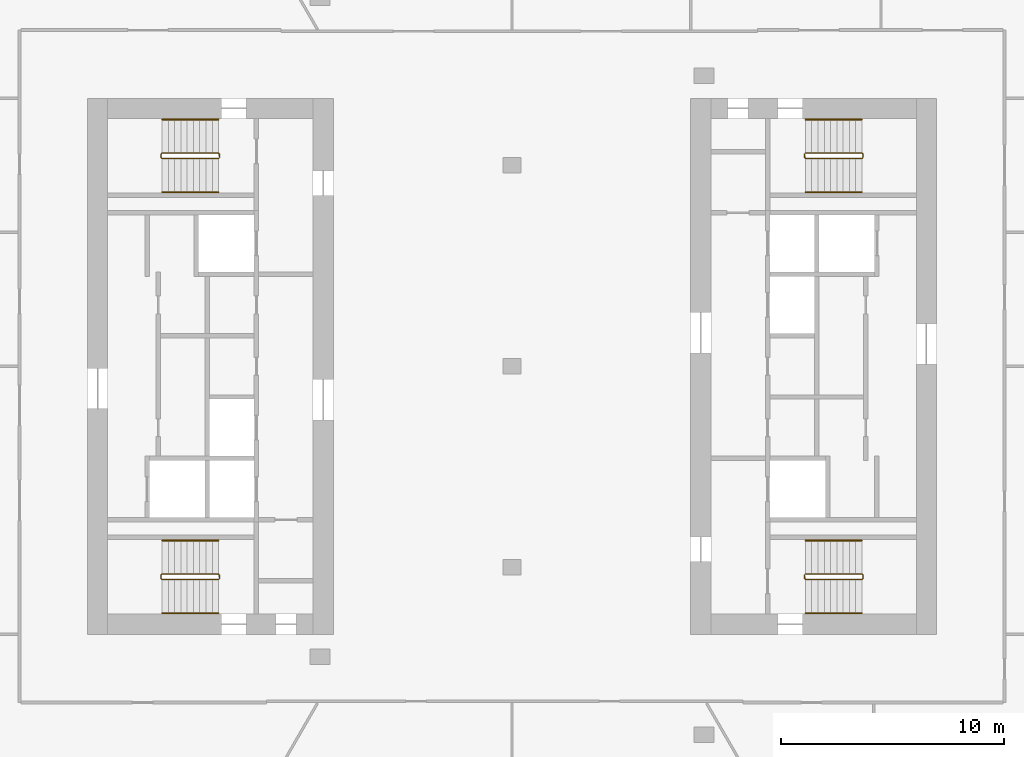
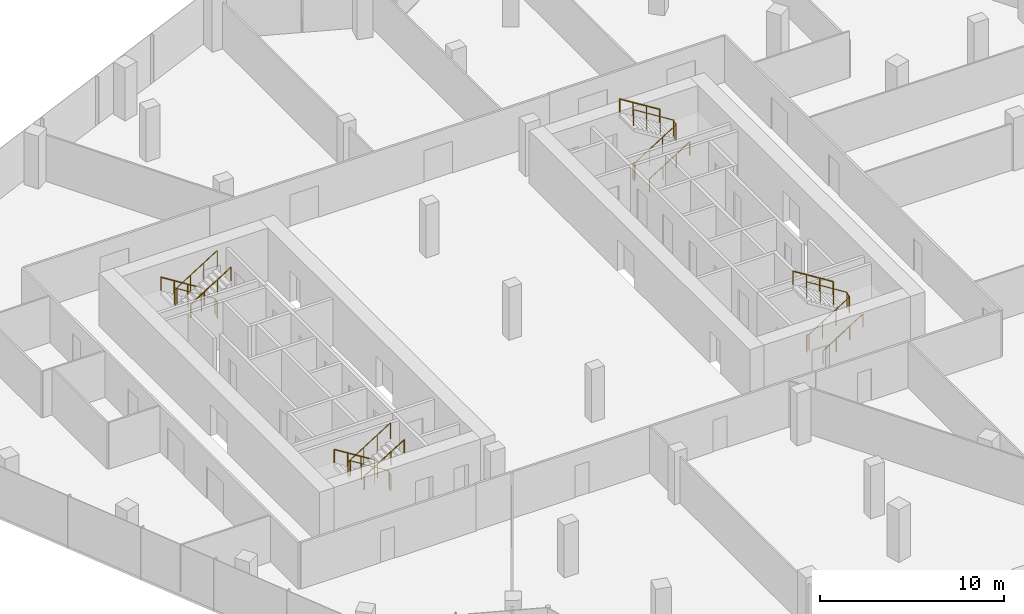
# One storey, part 16 of 16: 12 railings.
"""IFC4 building model written with IfcOpenShell, lengths in metres."""

import ifcopenshell
import ifcopenshell.guid

model = None  # the IFC model being written
_history = None  # IfcOwnerHistory: only IFC2X3 demands one
_inside = {}  # id of a spatial element -> (the spatial element, [elements in it])
_under = {}  # id of a project, library or spatial element -> (it, [spatial elements below it])
_declared = {}  # id of a project -> (the project, [libraries it declares])
_typed = {}  # id of a type object -> (the type object, [elements of that type])
_made_of = {}  # id of a material, layer set ... -> (it, [elements and type objects made of it])


def new_model(schema):
    """Start an empty IFC model of exactly this schema.

    Asked for "IFC4X3", IfcOpenShell would pick the latest addendum, in which some entities
    have other attributes; the version numbers below select the first issue.
    IFC2X3 requires an IfcOwnerHistory on every rooted entity: one is made here for all.
    """
    global model, _history
    if schema == "IFC4X3":
        model = ifcopenshell.file(schema_version=(4, 3, 0, 0))
    else:
        model = ifcopenshell.file(schema=schema)
    _inside.clear()
    _under.clear()
    _declared.clear()
    _typed.clear()
    _made_of.clear()
    _history = None
    if model.schema == "IFC2X3":
        org = make("IfcOrganization", Name="unknown")
        user = make(
            "IfcPersonAndOrganization",
            ThePerson=make("IfcPerson", FamilyName="unknown"),
            TheOrganization=org,
        )
        app = make(
            "IfcApplication",
            ApplicationDeveloper=org,
            Version="unknown",
            ApplicationFullName="unknown",
            ApplicationIdentifier="unknown",
        )
        _history = make(
            "IfcOwnerHistory",
            OwningUser=user,
            OwningApplication=app,
            ChangeAction="ADDED",
            CreationDate=0,
        )
    return model


def make(cls, **values):
    """One entity of the class cls with the attributes given. An attribute that is None is left unset."""
    return model.create_entity(
        cls, **{name: value for name, value in values.items() if value is not None}
    )


def rooted(cls, **values):
    """An entity with a GlobalId (a new one), such as an element, a storey or a relation."""
    return make(cls, GlobalId=ifcopenshell.guid.new(), OwnerHistory=_history, **values)


def si_unit(unit_type, name, prefix=None):
    """IfcSIUnit, for example si_unit("LENGTHUNIT", "METRE", prefix="MILLI")."""
    return make("IfcSIUnit", UnitType=unit_type, Prefix=prefix, Name=name)


def assignment(units):
    """IfcUnitAssignment: the units of a project."""
    return None if units is None else make("IfcUnitAssignment", Units=units)


def point(xyz):
    """IfcCartesianPoint."""
    return None if xyz is None else make("IfcCartesianPoint", Coordinates=xyz)


def direction(xyz):
    """IfcDirection."""
    return None if xyz is None else make("IfcDirection", DirectionRatios=xyz)


def frame(location, z_axis=None, x_axis=None):
    """IfcAxis2Placement3D, a coordinate frame: its origin and axes. An axis left out is left unset."""
    return make(
        "IfcAxis2Placement3D",
        Location=point(location),
        Axis=direction(z_axis),
        RefDirection=direction(x_axis),
    )


def frame_2d(location, x_axis=None):
    """IfcAxis2Placement2D, a coordinate frame in the plane: its origin and x axis."""
    return make(
        "IfcAxis2Placement2D", Location=point(location), RefDirection=direction(x_axis)
    )


def origin():
    """The frame at (0, 0, 0) with its axes left unset."""
    return frame((0.0, 0.0, 0.0))


def origin_2d():
    """The frame at (0, 0) in the plane with its x axis left unset."""
    return frame_2d((0.0, 0.0))


def place(relative_to, where):
    """IfcLocalPlacement: puts the frame where relative to a parent placement (None: the world)."""
    return make(
        "IfcLocalPlacement", PlacementRelTo=relative_to, RelativePlacement=where
    )


def context(
    kind, dimensions, precision=None, world=None, true_north=None, identifier=None
):
    """IfcGeometricRepresentationContext, for example the 3D "Model" context."""
    return make(
        "IfcGeometricRepresentationContext",
        ContextIdentifier=identifier,
        ContextType=kind,
        CoordinateSpaceDimension=dimensions,
        Precision=precision,
        WorldCoordinateSystem=world,
        TrueNorth=true_north,
    )


def subcontext(parent, identifier, kind, view, scale=None):
    """IfcGeometricRepresentationSubContext, for example "Body" below "Model"."""
    return make(
        "IfcGeometricRepresentationSubContext",
        ContextIdentifier=identifier,
        ContextType=kind,
        ParentContext=parent,
        TargetScale=scale,
        TargetView=view,
    )


def project(units=None, contexts=None):
    """IfcProject with its units and contexts."""
    return rooted(
        "IfcProject",
        Name="project",
        RepresentationContexts=contexts,
        UnitsInContext=assignment(units),
    )


def spatial(cls, under=None, at=None, **own):
    """A site, building, storey or space (cls), placed at a placement, below another one or the project."""
    s = rooted(cls, ObjectPlacement=at, **own)
    if under is not None:
        _under.setdefault(under.id(), (under, []))[1].append(s)
    return s


def profile(cls, at=None, kind="AREA", **sizes):
    """A parametric profile (cls). Its sizes go by their IFC names, for example OverallWidth=200.0."""
    return make(cls, ProfileType=kind, Position=at, **sizes)


def circle(**sizes):
    """IfcCircleProfileDef."""
    return profile("IfcCircleProfileDef", **sizes)


def extrude(swept, where, along, depth):
    """IfcExtrudedAreaSolid: the profile swept, set in the frame where, extruded along a direction by depth."""
    return make(
        "IfcExtrudedAreaSolid",
        SweptArea=swept,
        Position=where,
        ExtrudedDirection=direction(along),
        Depth=depth,
    )


def shape(context_of_items, identifier, shape_type, items):
    """IfcShapeRepresentation: the items that make up one representation, for example the "Body"."""
    return make(
        "IfcShapeRepresentation",
        ContextOfItems=context_of_items,
        RepresentationIdentifier=identifier,
        RepresentationType=shape_type,
        Items=items,
    )


def material(Name=None, Category=None):
    """IfcMaterial."""
    return make("IfcMaterial", Name=Name, Category=Category)


def made_of(thing, what):
    """Note that an element or type object is made of a material, layer set ...; save() writes the relation."""
    if what is not None:
        _made_of.setdefault(what.id(), (what, []))[1].append(thing)
    return thing


def type_object(cls, material=None, **own):
    """A type object (cls), such as IfcWallType, which elements share."""
    return made_of(rooted(cls, **own), material)


def element(
    cls,
    number,
    at=None,
    inside=None,
    cuts=None,
    type_object=None,
    material=None,
    context=None,
    identifier="Body",
    shape_type=None,
    held_by="IfcProductDefinitionShape",
    body=None,
    shapes=None,
    **own,
):
    """One element of the class cls, such as IfcWall. Its Tag is "e" and its number.

    at: its placement. inside: the storey or other place that contains it. cuts: it is an
    opening in that element (IfcRelVoidsElement). A single representation is given by context,
    identifier, shape_type and body (its items); several are given by shapes. held_by: the class
    of the entity that holds the representations. save() writes the other relations.
    """
    e = rooted(cls, Tag="e%d" % number, ObjectPlacement=at, **own)
    if body is not None:
        shapes = [shape(context, identifier, shape_type, body)]
    if shapes is not None:
        e.Representation = make(held_by, Representations=shapes)
    if inside is not None:
        _inside.setdefault(inside.id(), (inside, []))[1].append(e)
    if cuts is not None:
        rooted(
            "IfcRelVoidsElement", RelatingBuildingElement=cuts, RelatedOpeningElement=e
        )
    if type_object is not None:
        _typed.setdefault(type_object.id(), (type_object, []))[1].append(e)
    return made_of(e, material)


def aggregate(whole, parts):
    """IfcRelAggregates: a whole, such as a stair, and the parts it consists of."""
    return rooted("IfcRelAggregates", RelatingObject=whole, RelatedObjects=parts)


def save(model, path):
    """Write the relations noted so far, then the file.

    IfcRelAggregates (storeys below a building ...), IfcRelContainedInSpatialStructure (elements
    in a storey), IfcRelDefinesByType, IfcRelAssociatesMaterial and IfcRelDeclares: one each for
    every whole, place, type object, material and project.
    """
    for whole, parts in _under.values():
        aggregate(whole, parts)
    for where, things in _inside.values():
        rooted(
            "IfcRelContainedInSpatialStructure",
            RelatedElements=things,
            RelatingStructure=where,
        )
    for kind, things in _typed.values():
        rooted("IfcRelDefinesByType", RelatedObjects=things, RelatingType=kind)
    for what, things in _made_of.values():
        rooted("IfcRelAssociatesMaterial", RelatedObjects=things, RelatingMaterial=what)
    for by, libraries in _declared.values():
        rooted("IfcRelDeclares", RelatingContext=by, RelatedDefinitions=libraries)
    model.write(path)


model = new_model("IFC4")

# Units and contexts
model_context = context("Model", 3, precision=1e-05, world=origin(), true_north=direction((0.0, 1.0)))
body_context = subcontext(model_context, "Body", "Model", "MODEL_VIEW")
ifc_project = project(units=[si_unit("LENGTHUNIT", "METRE"), si_unit("AREAUNIT", "SQUARE_METRE"), si_unit("VOLUMEUNIT", "CUBIC_METRE"), si_unit("PLANEANGLEUNIT", "RADIAN"), si_unit("MASSUNIT", "GRAM", prefix="KILO")], contexts=[model_context])

# Site, building, storey
site_placement = place(None, origin())
site = spatial("IfcSite", under=ifc_project, at=site_placement, CompositionType="ELEMENT")
building_placement = place(site_placement, origin())
building = spatial("IfcBuilding", under=site, at=building_placement, Name="Orlundy Tower", CompositionType="ELEMENT")
storey_placement = place(building_placement, frame((0.0, 0.0, 285.89990234375)))
storey = spatial("IfcBuildingStorey", under=building, at=storey_placement, Name="L76", CompositionType="ELEMENT", Elevation=285.89990234375)

# Railings
ifc_material_1 = material(Name="Steel balustrade", Category="steel")
railing_type_1 = type_object("IfcRailingType", Name="Stair Guard 1100", PredefinedType="GUARDRAIL", material=ifc_material_1)
railing_1_placement = place(storey_placement, frame((-13.090087890625, 9.5, 0.0)))
element("IfcRailing", 1, at=railing_1_placement, inside=storey, type_object=railing_type_1, Name="L76 ST-W1 stair guard 1", PredefinedType="GUARDRAIL", context=body_context, shape_type="SweptSolid", body=[
    extrude(circle(Radius=0.02392578125, at=origin_2d()), frame((0.0, 0.0, 1.076171875), z_axis=(0.0, -1.0, 0.0), x_axis=(1.0, 0.0, 0.0)), (0.0, 0.0, 1.0), 0.14990234375),
    extrude(circle(Radius=0.02392578125, at=origin_2d()), frame((0.0, -0.14990234375, 1.076171875), z_axis=(-0.18420542264, 0.739530593833, 0.647427882513), x_axis=(-0.970351222016, -0.241699205484, 0.0)), (0.0, 0.0, 1.0), 0.270263671875),
    extrude(circle(Radius=0.02392578125, at=origin_2d()), frame((-0.0498046875, 0.050048828125, 1.2509765625), z_axis=(-0.848007534815, 0.0, 0.529984170421), x_axis=(0.0, -1.0, 0.0)), (0.0, 0.0, 1.0), 2.9716796875),
    extrude(circle(Radius=0.02392578125, at=origin_2d()), frame((-2.56982421875, 0.050048828125, 2.826171875), z_axis=(-0.707106781187, -0.707106781187, 0.0), x_axis=(0.707106781187, -0.707106781187, 0.0)), (0.0, 0.0, 1.0), 0.07080078125),
    extrude(circle(Radius=0.02392578125, at=origin_2d()), frame((-2.619873046875, 0.0, 2.826171875), z_axis=(0.0, -1.0, 0.0), x_axis=(1.0, 0.0, 0.0)), (0.0, 0.0, 1.0), 0.14990234375),
    extrude(circle(Radius=0.02392578125, at=origin_2d()), frame((-2.619873046875, -0.14990234375, 2.826171875), z_axis=(0.265065253269, -0.265065253269, 0.927081885822), x_axis=(0.707106781187, 0.707106781187, 0.0)), (0.0, 0.0, 1.0), 0.188720703125),
    extrude(circle(Radius=0.02392578125, at=origin_2d()), frame((-2.56982421875, -0.199951171875, 3.0009765625), z_axis=(0.848007534815, 0.0, 0.529984170421), x_axis=(0.0, 1.0, 0.0)), (0.0, 0.0, 1.0), 2.9716796875),
    extrude(circle(Radius=0.02099609375, at=origin_2d()), origin(), (0.0, 0.0, 1.0), 1.052001953125),
    extrude(circle(Radius=0.02099609375, at=origin_2d()), frame((0.0, -0.14990234375, 0.0)), (0.0, 0.0, 1.0), 1.052001953125),
    extrude(circle(Radius=0.02099609375, at=origin_2d()), frame((-0.0498046875, 0.050048828125, 0.175048828125)), (0.0, 0.0, 1.0), 1.052001953125),
    extrude(circle(Radius=0.02099609375, at=origin_2d()), frame((-0.889892578125, 0.050048828125, 0.699951171875)), (0.0, 0.0, 1.0), 1.052001953125),
    extrude(circle(Radius=0.02099609375, at=origin_2d()), frame((-1.729736328125, 0.050048828125, 1.22509765625)), (0.0, 0.0, 1.0), 1.052001953125),
    extrude(circle(Radius=0.02099609375, at=origin_2d()), frame((-2.56982421875, 0.050048828125, 1.75)), (0.0, 0.0, 1.0), 1.052001953125),
    extrude(circle(Radius=0.02099609375, at=origin_2d()), frame((-2.619873046875, 0.0, 1.75)), (0.0, 0.0, 1.0), 1.052001953125),
    extrude(circle(Radius=0.02099609375, at=origin_2d()), frame((-2.619873046875, -0.14990234375, 1.75)), (0.0, 0.0, 1.0), 1.052001953125),
    extrude(circle(Radius=0.02099609375, at=origin_2d()), frame((-2.56982421875, -0.199951171875, 1.925048828125)), (0.0, 0.0, 1.0), 1.052001953125),
    extrude(circle(Radius=0.02099609375, at=origin_2d()), frame((-1.729736328125, -0.199951171875, 2.449951171875)), (0.0, 0.0, 1.0), 1.052001953125),
    extrude(circle(Radius=0.02099609375, at=origin_2d()), frame((-0.889892578125, -0.199951171875, 2.97509765625)), (0.0, 0.0, 1.0), 1.052001953125),
    extrude(circle(Radius=0.02099609375, at=origin_2d()), frame((-0.0498046875, -0.199951171875, 3.5)), (0.0, 0.0, 1.0), 1.052001953125),
])
railing_2_placement = place(storey_placement, frame((-13.090087890625, -9.35009765625, 0.0)))
element("IfcRailing", 2, at=railing_2_placement, inside=storey, type_object=railing_type_1, Name="L76 ST-W2 stair guard 1", PredefinedType="GUARDRAIL", context=body_context, shape_type="SweptSolid", body=[
    extrude(circle(Radius=0.02392578125, at=origin_2d()), frame((0.0, 0.0, 1.076171875), z_axis=(0.0, -1.0, 0.0), x_axis=(1.0, 0.0, 0.0)), (0.0, 0.0, 1.0), 0.14990234375),
    extrude(circle(Radius=0.02392578125, at=origin_2d()), frame((0.0, -0.14990234375, 1.076171875), z_axis=(-0.18420542264, 0.739530593833, 0.647427882513), x_axis=(-0.970351222016, -0.241699205484, 0.0)), (0.0, 0.0, 1.0), 0.270263671875),
    extrude(circle(Radius=0.02392578125, at=origin_2d()), frame((-0.0498046875, 0.050048828125, 1.2509765625), z_axis=(-0.848007534815, 0.0, 0.529984170421), x_axis=(0.0, -1.0, 0.0)), (0.0, 0.0, 1.0), 2.9716796875),
    extrude(circle(Radius=0.02392578125, at=origin_2d()), frame((-2.56982421875, 0.050048828125, 2.826171875), z_axis=(-0.707106781187, -0.707106781187, 0.0), x_axis=(0.707106781187, -0.707106781187, 0.0)), (0.0, 0.0, 1.0), 0.07080078125),
    extrude(circle(Radius=0.02392578125, at=origin_2d()), frame((-2.619873046875, 0.0, 2.826171875), z_axis=(0.0, -1.0, 0.0), x_axis=(1.0, 0.0, 0.0)), (0.0, 0.0, 1.0), 0.14990234375),
    extrude(circle(Radius=0.02392578125, at=origin_2d()), frame((-2.619873046875, -0.14990234375, 2.826171875), z_axis=(0.265065253269, -0.265065253269, 0.927081885822), x_axis=(0.707106781187, 0.707106781187, 0.0)), (0.0, 0.0, 1.0), 0.188720703125),
    extrude(circle(Radius=0.02392578125, at=origin_2d()), frame((-2.56982421875, -0.199951171875, 3.0009765625), z_axis=(0.848007534815, 0.0, 0.529984170421), x_axis=(0.0, 1.0, 0.0)), (0.0, 0.0, 1.0), 2.9716796875),
    extrude(circle(Radius=0.02099609375, at=origin_2d()), origin(), (0.0, 0.0, 1.0), 1.052001953125),
    extrude(circle(Radius=0.02099609375, at=origin_2d()), frame((0.0, -0.14990234375, 0.0)), (0.0, 0.0, 1.0), 1.052001953125),
    extrude(circle(Radius=0.02099609375, at=origin_2d()), frame((-0.0498046875, 0.050048828125, 0.175048828125)), (0.0, 0.0, 1.0), 1.052001953125),
    extrude(circle(Radius=0.02099609375, at=origin_2d()), frame((-0.889892578125, 0.050048828125, 0.699951171875)), (0.0, 0.0, 1.0), 1.052001953125),
    extrude(circle(Radius=0.02099609375, at=origin_2d()), frame((-1.729736328125, 0.050048828125, 1.22509765625)), (0.0, 0.0, 1.0), 1.052001953125),
    extrude(circle(Radius=0.02099609375, at=origin_2d()), frame((-2.56982421875, 0.050048828125, 1.75)), (0.0, 0.0, 1.0), 1.052001953125),
    extrude(circle(Radius=0.02099609375, at=origin_2d()), frame((-2.619873046875, 0.0, 1.75)), (0.0, 0.0, 1.0), 1.052001953125),
    extrude(circle(Radius=0.02099609375, at=origin_2d()), frame((-2.619873046875, -0.14990234375, 1.75)), (0.0, 0.0, 1.0), 1.052001953125),
    extrude(circle(Radius=0.02099609375, at=origin_2d()), frame((-2.56982421875, -0.199951171875, 1.925048828125)), (0.0, 0.0, 1.0), 1.052001953125),
    extrude(circle(Radius=0.02099609375, at=origin_2d()), frame((-1.729736328125, -0.199951171875, 2.449951171875)), (0.0, 0.0, 1.0), 1.052001953125),
    extrude(circle(Radius=0.02099609375, at=origin_2d()), frame((-0.889892578125, -0.199951171875, 2.97509765625)), (0.0, 0.0, 1.0), 1.052001953125),
    extrude(circle(Radius=0.02099609375, at=origin_2d()), frame((-0.0498046875, -0.199951171875, 3.5)), (0.0, 0.0, 1.0), 1.052001953125),
])
railing_3_placement = place(storey_placement, frame((13.090087890625, -9.5, 0.0)))
element("IfcRailing", 3, at=railing_3_placement, inside=storey, type_object=railing_type_1, Name="L76 ST-E1 stair guard 1", PredefinedType="GUARDRAIL", context=body_context, shape_type="SweptSolid", body=[
    extrude(circle(Radius=0.02392578125, at=origin_2d()), frame((0.0, 0.0, 1.076171875), z_axis=(0.0, 1.0, 0.0), x_axis=(-1.0, 0.0, 0.0)), (0.0, 0.0, 1.0), 0.14990234375),
    extrude(circle(Radius=0.02392578125, at=origin_2d()), frame((0.0, 0.14990234375, 1.076171875), z_axis=(0.18420542264, -0.739530593833, 0.647427882513), x_axis=(0.970351222016, 0.241699205484, 0.0)), (0.0, 0.0, 1.0), 0.270263671875),
    extrude(circle(Radius=0.02392578125, at=origin_2d()), frame((0.0498046875, -0.050048828125, 1.2509765625), z_axis=(0.848007534815, 0.0, 0.529984170421), x_axis=(0.0, 1.0, 0.0)), (0.0, 0.0, 1.0), 2.9716796875),
    extrude(circle(Radius=0.02392578125, at=origin_2d()), frame((2.56982421875, -0.050048828125, 2.826171875), z_axis=(0.707106781187, 0.707106781187, 0.0), x_axis=(-0.707106781187, 0.707106781187, 0.0)), (0.0, 0.0, 1.0), 0.07080078125),
    extrude(circle(Radius=0.02392578125, at=origin_2d()), frame((2.619873046875, 0.0, 2.826171875), z_axis=(0.0, 1.0, 0.0), x_axis=(-1.0, 0.0, 0.0)), (0.0, 0.0, 1.0), 0.14990234375),
    extrude(circle(Radius=0.02392578125, at=origin_2d()), frame((2.619873046875, 0.14990234375, 2.826171875), z_axis=(-0.265065253269, 0.265065253269, 0.927081885822), x_axis=(-0.707106781187, -0.707106781187, 0.0)), (0.0, 0.0, 1.0), 0.188720703125),
    extrude(circle(Radius=0.02392578125, at=origin_2d()), frame((2.56982421875, 0.199951171875, 3.0009765625), z_axis=(-0.848007534815, 0.0, 0.529984170421), x_axis=(0.0, -1.0, 0.0)), (0.0, 0.0, 1.0), 2.9716796875),
    extrude(circle(Radius=0.02099609375, at=origin_2d()), origin(), (0.0, 0.0, 1.0), 1.052001953125),
    extrude(circle(Radius=0.02099609375, at=origin_2d()), frame((0.0, 0.14990234375, 0.0)), (0.0, 0.0, 1.0), 1.052001953125),
    extrude(circle(Radius=0.02099609375, at=origin_2d()), frame((0.0498046875, -0.050048828125, 0.175048828125)), (0.0, 0.0, 1.0), 1.052001953125),
    extrude(circle(Radius=0.02099609375, at=origin_2d()), frame((0.889892578125, -0.050048828125, 0.699951171875)), (0.0, 0.0, 1.0), 1.052001953125),
    extrude(circle(Radius=0.02099609375, at=origin_2d()), frame((1.729736328125, -0.050048828125, 1.22509765625)), (0.0, 0.0, 1.0), 1.052001953125),
    extrude(circle(Radius=0.02099609375, at=origin_2d()), frame((2.56982421875, -0.050048828125, 1.75)), (0.0, 0.0, 1.0), 1.052001953125),
    extrude(circle(Radius=0.02099609375, at=origin_2d()), frame((2.619873046875, 0.0, 1.75)), (0.0, 0.0, 1.0), 1.052001953125),
    extrude(circle(Radius=0.02099609375, at=origin_2d()), frame((2.619873046875, 0.14990234375, 1.75)), (0.0, 0.0, 1.0), 1.052001953125),
    extrude(circle(Radius=0.02099609375, at=origin_2d()), frame((2.56982421875, 0.199951171875, 1.925048828125)), (0.0, 0.0, 1.0), 1.052001953125),
    extrude(circle(Radius=0.02099609375, at=origin_2d()), frame((1.729736328125, 0.199951171875, 2.449951171875)), (0.0, 0.0, 1.0), 1.052001953125),
    extrude(circle(Radius=0.02099609375, at=origin_2d()), frame((0.889892578125, 0.199951171875, 2.97509765625)), (0.0, 0.0, 1.0), 1.052001953125),
    extrude(circle(Radius=0.02099609375, at=origin_2d()), frame((0.0498046875, 0.199951171875, 3.5)), (0.0, 0.0, 1.0), 1.052001953125),
])
railing_4_placement = place(storey_placement, frame((13.090087890625, 9.35009765625, 0.0)))
element("IfcRailing", 4, at=railing_4_placement, inside=storey, type_object=railing_type_1, Name="L76 ST-E2 stair guard 1", PredefinedType="GUARDRAIL", context=body_context, shape_type="SweptSolid", body=[
    extrude(circle(Radius=0.02392578125, at=origin_2d()), frame((0.0, 0.0, 1.076171875), z_axis=(0.0, 1.0, 0.0), x_axis=(-1.0, 0.0, 0.0)), (0.0, 0.0, 1.0), 0.14990234375),
    extrude(circle(Radius=0.02392578125, at=origin_2d()), frame((0.0, 0.14990234375, 1.076171875), z_axis=(0.18420542264, -0.739530593833, 0.647427882513), x_axis=(0.970351222016, 0.241699205484, 0.0)), (0.0, 0.0, 1.0), 0.270263671875),
    extrude(circle(Radius=0.02392578125, at=origin_2d()), frame((0.0498046875, -0.050048828125, 1.2509765625), z_axis=(0.848007534815, 0.0, 0.529984170421), x_axis=(0.0, 1.0, 0.0)), (0.0, 0.0, 1.0), 2.9716796875),
    extrude(circle(Radius=0.02392578125, at=origin_2d()), frame((2.56982421875, -0.050048828125, 2.826171875), z_axis=(0.707106781187, 0.707106781187, 0.0), x_axis=(-0.707106781187, 0.707106781187, 0.0)), (0.0, 0.0, 1.0), 0.07080078125),
    extrude(circle(Radius=0.02392578125, at=origin_2d()), frame((2.619873046875, 0.0, 2.826171875), z_axis=(0.0, 1.0, 0.0), x_axis=(-1.0, 0.0, 0.0)), (0.0, 0.0, 1.0), 0.14990234375),
    extrude(circle(Radius=0.02392578125, at=origin_2d()), frame((2.619873046875, 0.14990234375, 2.826171875), z_axis=(-0.265065253269, 0.265065253269, 0.927081885822), x_axis=(-0.707106781187, -0.707106781187, 0.0)), (0.0, 0.0, 1.0), 0.188720703125),
    extrude(circle(Radius=0.02392578125, at=origin_2d()), frame((2.56982421875, 0.199951171875, 3.0009765625), z_axis=(-0.848007534815, 0.0, 0.529984170421), x_axis=(0.0, -1.0, 0.0)), (0.0, 0.0, 1.0), 2.9716796875),
    extrude(circle(Radius=0.02099609375, at=origin_2d()), origin(), (0.0, 0.0, 1.0), 1.052001953125),
    extrude(circle(Radius=0.02099609375, at=origin_2d()), frame((0.0, 0.14990234375, 0.0)), (0.0, 0.0, 1.0), 1.052001953125),
    extrude(circle(Radius=0.02099609375, at=origin_2d()), frame((0.0498046875, -0.050048828125, 0.175048828125)), (0.0, 0.0, 1.0), 1.052001953125),
    extrude(circle(Radius=0.02099609375, at=origin_2d()), frame((0.889892578125, -0.050048828125, 0.699951171875)), (0.0, 0.0, 1.0), 1.052001953125),
    extrude(circle(Radius=0.02099609375, at=origin_2d()), frame((1.729736328125, -0.050048828125, 1.22509765625)), (0.0, 0.0, 1.0), 1.052001953125),
    extrude(circle(Radius=0.02099609375, at=origin_2d()), frame((2.56982421875, -0.050048828125, 1.75)), (0.0, 0.0, 1.0), 1.052001953125),
    extrude(circle(Radius=0.02099609375, at=origin_2d()), frame((2.619873046875, 0.0, 1.75)), (0.0, 0.0, 1.0), 1.052001953125),
    extrude(circle(Radius=0.02099609375, at=origin_2d()), frame((2.619873046875, 0.14990234375, 1.75)), (0.0, 0.0, 1.0), 1.052001953125),
    extrude(circle(Radius=0.02099609375, at=origin_2d()), frame((2.56982421875, 0.199951171875, 1.925048828125)), (0.0, 0.0, 1.0), 1.052001953125),
    extrude(circle(Radius=0.02099609375, at=origin_2d()), frame((1.729736328125, 0.199951171875, 2.449951171875)), (0.0, 0.0, 1.0), 1.052001953125),
    extrude(circle(Radius=0.02099609375, at=origin_2d()), frame((0.889892578125, 0.199951171875, 2.97509765625)), (0.0, 0.0, 1.0), 1.052001953125),
    extrude(circle(Radius=0.02099609375, at=origin_2d()), frame((0.0498046875, 0.199951171875, 3.5)), (0.0, 0.0, 1.0), 1.052001953125),
])
ifc_material_2 = material(Name="Steel handrail", Category="steel")
railing_type_2 = type_object("IfcRailingType", Name="Stair Handrail 900", PredefinedType="HANDRAIL", material=ifc_material_2)
railing_5_placement = place(storey_placement, frame((-13.139892578125, 11.050048828125, 0.175048828125)))
element("IfcRailing", 5, at=railing_5_placement, inside=storey, type_object=railing_type_2, Name="L76 ST-W1 stair handrail 1", PredefinedType="HANDRAIL", context=body_context, shape_type="SweptSolid", body=[
    extrude(circle(Radius=0.02392578125, at=origin_2d()), frame((0.0, 0.0, 0.8759765625), z_axis=(-0.848007534815, 0.0, 0.529984170421), x_axis=(0.0, -1.0, 0.0)), (0.0, 0.0, 1.0), 2.9716796875),
    extrude(circle(Radius=0.02099609375, at=origin_2d()), origin(), (0.0, 0.0, 1.0), 0.851806640625),
    extrude(circle(Radius=0.02099609375, at=origin_2d()), frame((-0.840087890625, 0.0, 0.52490234375)), (0.0, 0.0, 1.0), 0.851806640625),
    extrude(circle(Radius=0.02099609375, at=origin_2d()), frame((-1.679931640625, 0.0, 1.050048828125)), (0.0, 0.0, 1.0), 0.851806640625),
    extrude(circle(Radius=0.02099609375, at=origin_2d()), frame((-2.52001953125, 0.0, 1.574951171875)), (0.0, 0.0, 1.0), 0.851806640625),
])
railing_6_placement = place(storey_placement, frame((-15.659912109375, 7.800048828125, 1.925048828125)))
element("IfcRailing", 6, at=railing_6_placement, inside=storey, type_object=railing_type_2, Name="L76 ST-W1 stair handrail 2", PredefinedType="HANDRAIL", context=body_context, shape_type="SweptSolid", body=[
    extrude(circle(Radius=0.02392578125, at=origin_2d()), frame((0.0, 0.0, 0.8759765625), z_axis=(0.848007534815, 0.0, 0.529984170421), x_axis=(0.0, 1.0, 0.0)), (0.0, 0.0, 1.0), 2.9716796875),
    extrude(circle(Radius=0.02099609375, at=origin_2d()), origin(), (0.0, 0.0, 1.0), 0.851806640625),
    extrude(circle(Radius=0.02099609375, at=origin_2d()), frame((0.840087890625, 0.0, 0.52490234375)), (0.0, 0.0, 1.0), 0.851806640625),
    extrude(circle(Radius=0.02099609375, at=origin_2d()), frame((1.679931640625, 0.0, 1.050048828125)), (0.0, 0.0, 1.0), 0.851806640625),
    extrude(circle(Radius=0.02099609375, at=origin_2d()), frame((2.52001953125, 0.0, 1.574951171875)), (0.0, 0.0, 1.0), 0.851806640625),
])
railing_7_placement = place(storey_placement, frame((-13.139892578125, -7.800048828125, 0.175048828125)))
element("IfcRailing", 7, at=railing_7_placement, inside=storey, type_object=railing_type_2, Name="L76 ST-W2 stair handrail 1", PredefinedType="HANDRAIL", context=body_context, shape_type="SweptSolid", body=[
    extrude(circle(Radius=0.02392578125, at=origin_2d()), frame((0.0, 0.0, 0.8759765625), z_axis=(-0.848007534815, 0.0, 0.529984170421), x_axis=(0.0, -1.0, 0.0)), (0.0, 0.0, 1.0), 2.9716796875),
    extrude(circle(Radius=0.02099609375, at=origin_2d()), origin(), (0.0, 0.0, 1.0), 0.851806640625),
    extrude(circle(Radius=0.02099609375, at=origin_2d()), frame((-0.840087890625, 0.0, 0.52490234375)), (0.0, 0.0, 1.0), 0.851806640625),
    extrude(circle(Radius=0.02099609375, at=origin_2d()), frame((-1.679931640625, 0.0, 1.050048828125)), (0.0, 0.0, 1.0), 0.851806640625),
    extrude(circle(Radius=0.02099609375, at=origin_2d()), frame((-2.52001953125, 0.0, 1.574951171875)), (0.0, 0.0, 1.0), 0.851806640625),
])
for number, where, name in (
    (8, (-15.659912109375, -11.050048828125, 1.925048828125), "L76 ST-W2 stair handrail 2"),
    (9, (13.139892578125, -11.050048828125, 0.175048828125), "L76 ST-E1 stair handrail 1"),
):
    element("IfcRailing", number, at=place(storey_placement, frame(where)), inside=storey, type_object=railing_type_2, Name=name, PredefinedType="HANDRAIL", context=body_context, shape_type="SweptSolid", body=[
        extrude(circle(Radius=0.02392578125, at=origin_2d()), frame((0.0, 0.0, 0.8759765625), z_axis=(0.848007534815, 0.0, 0.529984170421), x_axis=(0.0, 1.0, 0.0)), (0.0, 0.0, 1.0), 2.9716796875),
        extrude(circle(Radius=0.02099609375, at=origin_2d()), origin(), (0.0, 0.0, 1.0), 0.851806640625),
        extrude(circle(Radius=0.02099609375, at=origin_2d()), frame((0.840087890625, 0.0, 0.52490234375)), (0.0, 0.0, 1.0), 0.851806640625),
        extrude(circle(Radius=0.02099609375, at=origin_2d()), frame((1.679931640625, 0.0, 1.050048828125)), (0.0, 0.0, 1.0), 0.851806640625),
        extrude(circle(Radius=0.02099609375, at=origin_2d()), frame((2.52001953125, 0.0, 1.574951171875)), (0.0, 0.0, 1.0), 0.851806640625),
    ])
railing_8_placement = place(storey_placement, frame((15.659912109375, -7.800048828125, 1.925048828125)))
element("IfcRailing", 10, at=railing_8_placement, inside=storey, type_object=railing_type_2, Name="L76 ST-E1 stair handrail 2", PredefinedType="HANDRAIL", context=body_context, shape_type="SweptSolid", body=[
    extrude(circle(Radius=0.02392578125, at=origin_2d()), frame((0.0, 0.0, 0.8759765625), z_axis=(-0.848007534815, 0.0, 0.529984170421), x_axis=(0.0, -1.0, 0.0)), (0.0, 0.0, 1.0), 2.9716796875),
    extrude(circle(Radius=0.02099609375, at=origin_2d()), origin(), (0.0, 0.0, 1.0), 0.851806640625),
    extrude(circle(Radius=0.02099609375, at=origin_2d()), frame((-0.840087890625, 0.0, 0.52490234375)), (0.0, 0.0, 1.0), 0.851806640625),
    extrude(circle(Radius=0.02099609375, at=origin_2d()), frame((-1.679931640625, 0.0, 1.050048828125)), (0.0, 0.0, 1.0), 0.851806640625),
    extrude(circle(Radius=0.02099609375, at=origin_2d()), frame((-2.52001953125, 0.0, 1.574951171875)), (0.0, 0.0, 1.0), 0.851806640625),
])
railing_9_placement = place(storey_placement, frame((13.139892578125, 7.800048828125, 0.175048828125)))
element("IfcRailing", 11, at=railing_9_placement, inside=storey, type_object=railing_type_2, Name="L76 ST-E2 stair handrail 1", PredefinedType="HANDRAIL", context=body_context, shape_type="SweptSolid", body=[
    extrude(circle(Radius=0.02392578125, at=origin_2d()), frame((0.0, 0.0, 0.8759765625), z_axis=(0.848007534815, 0.0, 0.529984170421), x_axis=(0.0, 1.0, 0.0)), (0.0, 0.0, 1.0), 2.9716796875),
    extrude(circle(Radius=0.02099609375, at=origin_2d()), origin(), (0.0, 0.0, 1.0), 0.851806640625),
    extrude(circle(Radius=0.02099609375, at=origin_2d()), frame((0.840087890625, 0.0, 0.52490234375)), (0.0, 0.0, 1.0), 0.851806640625),
    extrude(circle(Radius=0.02099609375, at=origin_2d()), frame((1.679931640625, 0.0, 1.050048828125)), (0.0, 0.0, 1.0), 0.851806640625),
    extrude(circle(Radius=0.02099609375, at=origin_2d()), frame((2.52001953125, 0.0, 1.574951171875)), (0.0, 0.0, 1.0), 0.851806640625),
])
railing_10_placement = place(storey_placement, frame((15.659912109375, 11.050048828125, 1.925048828125)))
element("IfcRailing", 12, at=railing_10_placement, inside=storey, type_object=railing_type_2, Name="L76 ST-E2 stair handrail 2", PredefinedType="HANDRAIL", context=body_context, shape_type="SweptSolid", body=[
    extrude(circle(Radius=0.02392578125, at=origin_2d()), frame((0.0, 0.0, 0.8759765625), z_axis=(-0.848007534815, 0.0, 0.529984170421), x_axis=(0.0, -1.0, 0.0)), (0.0, 0.0, 1.0), 2.9716796875),
    extrude(circle(Radius=0.02099609375, at=origin_2d()), origin(), (0.0, 0.0, 1.0), 0.851806640625),
    extrude(circle(Radius=0.02099609375, at=origin_2d()), frame((-0.840087890625, 0.0, 0.52490234375)), (0.0, 0.0, 1.0), 0.851806640625),
    extrude(circle(Radius=0.02099609375, at=origin_2d()), frame((-1.679931640625, 0.0, 1.050048828125)), (0.0, 0.0, 1.0), 0.851806640625),
    extrude(circle(Radius=0.02099609375, at=origin_2d()), frame((-2.52001953125, 0.0, 1.574951171875)), (0.0, 0.0, 1.0), 0.851806640625),
])

save(model, "model.ifc")
